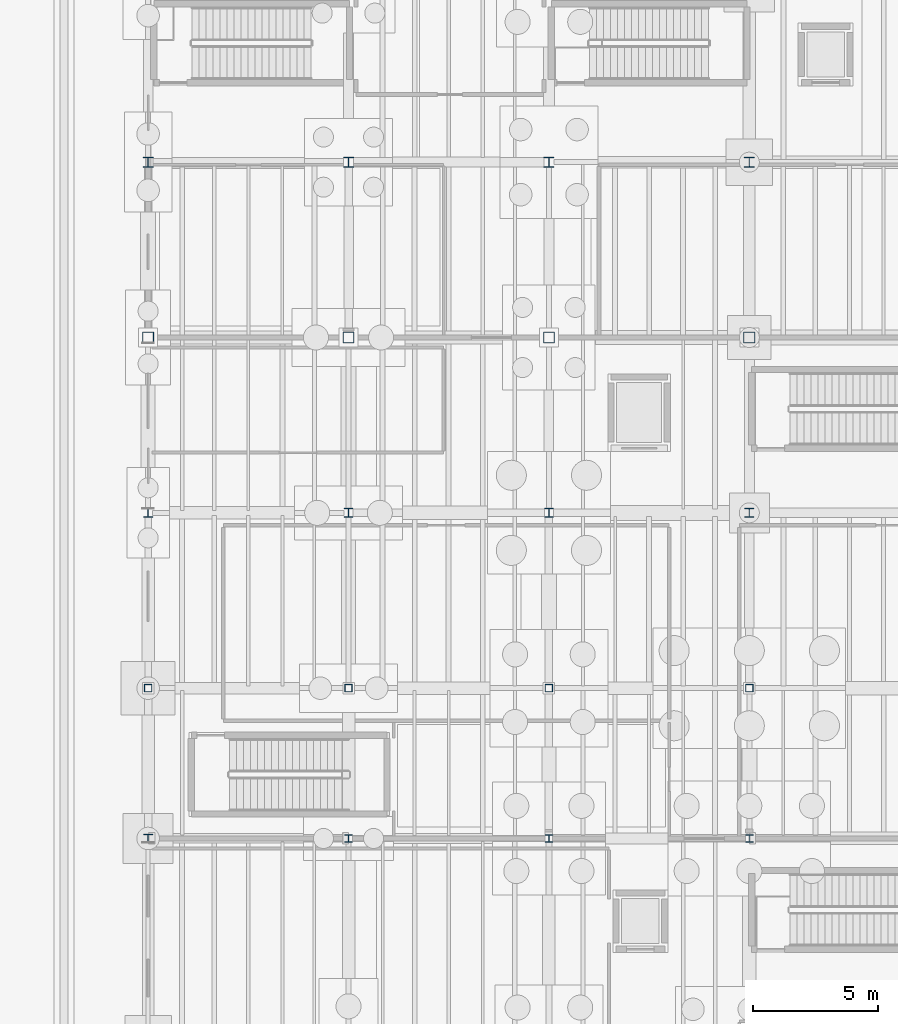
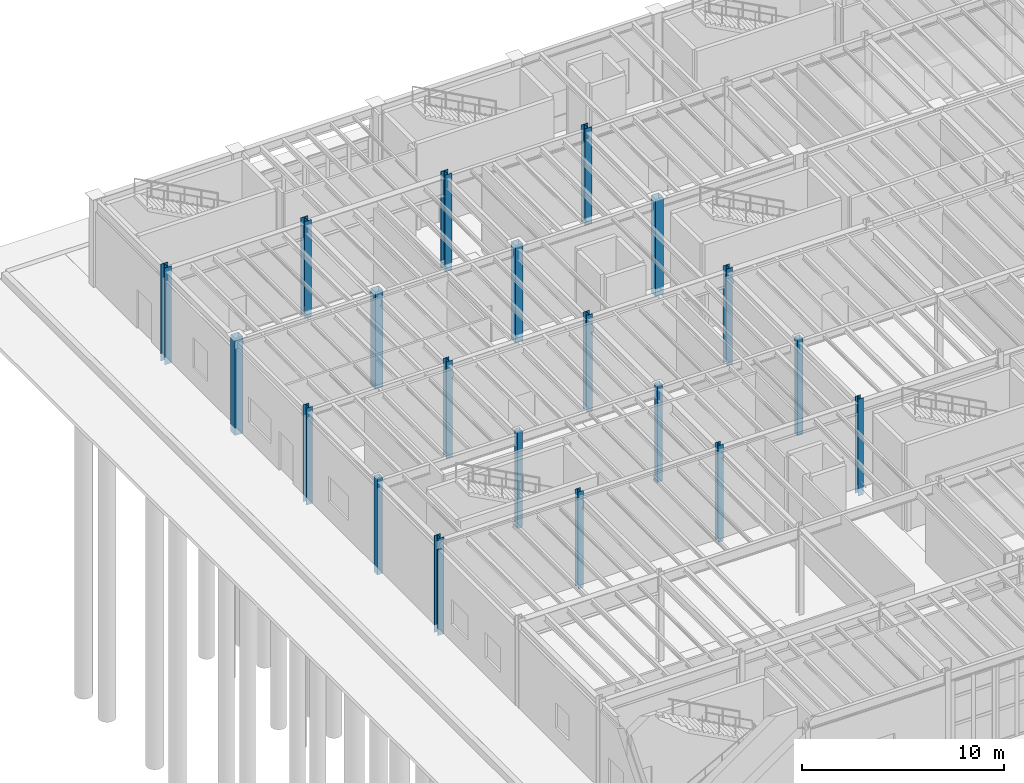
# One storey, part 13 of 86: 20 columns.
"""IFC4 building model written with IfcOpenShell, lengths in metres."""

from ifc_helpers import new_model, si_unit, direction, frame, origin, origin_2d, place, context, subcontext, project, spatial, hollow_rectangle, i_section, extrude, material, material_profile, profile_set, type_object, element, save


model = new_model("IFC4")

# Units and contexts
model_context = context("Model", 3, precision=1e-05, world=origin(), true_north=direction((0.0, 1.0)))
body_context = subcontext(model_context, "Body", "Model", "MODEL_VIEW")
ifc_project = project(units=[si_unit("LENGTHUNIT", "METRE"), si_unit("AREAUNIT", "SQUARE_METRE"), si_unit("VOLUMEUNIT", "CUBIC_METRE"), si_unit("PLANEANGLEUNIT", "RADIAN"), si_unit("MASSUNIT", "GRAM", prefix="KILO"), si_unit("THERMODYNAMICTEMPERATUREUNIT", "KELVIN"), si_unit("POWERUNIT", "WATT")], contexts=[model_context])

# Site, building, storey
site_placement = place(None, origin())
site = spatial("IfcSite", under=ifc_project, at=site_placement, CompositionType="ELEMENT")
building_placement = place(site_placement, origin())
building = spatial("IfcBuilding", under=site, at=building_placement, Name="Zhenchuan Central Fire Station", CompositionType="ELEMENT")
storey_placement = place(building_placement, frame((0.0, 0.0, 0.449951171875)))
storey = spatial("IfcBuildingStorey", under=building, at=storey_placement, Name="L01", CompositionType="ELEMENT", Elevation=0.449951171875)

# Columns
ifc_material = material(Name="Steel Q355B", Category="steel")
ifc_material_profile_1 = material_profile(ifc_material, hollow_rectangle(XDim=0.449951171875, YDim=0.449951171875, WallThickness=0.02197265625, at=origin_2d()), Name="BOX 450x450x22")
ifc_profile_set_1 = profile_set([ifc_material_profile_1], Name="Steel Q355B")
column_type_1 = type_object("IfcColumnType", Name="COL-BOX450", PredefinedType="COLUMN", material=ifc_profile_set_1)
column_1_placement = place(storey_placement, frame((0.0, 42.5, -0.449951171875), z_axis=(0.0, 0.0, 1.0), x_axis=(1.0, 0.0, 0.0)))
element("IfcColumn", 1, at=column_1_placement, inside=storey, type_object=column_type_1, Name="L01 Column 007", PredefinedType="COLUMN", context=body_context, shape_type="SweptSolid", body=[
    extrude(hollow_rectangle(XDim=0.449951171875, YDim=0.449951171875, WallThickness=0.02197265625, at=origin_2d()), origin(), (0.0, 0.0, 1.0), 5.85009765625),
])
ifc_material_profile_2 = material_profile(ifc_material, hollow_rectangle(XDim=0.449951171875, YDim=0.449951171875, WallThickness=0.02197265625, at=origin_2d()), Name="BOX 450x450x22")
ifc_profile_set_2 = profile_set([ifc_material_profile_2], Name="Steel Q355B")
column_type_2 = type_object("IfcColumnType", Name="COL-BOX450-INT", PredefinedType="COLUMN", material=ifc_profile_set_2)
for number, where, z_axis, x_axis, name in (
    (2, (8.0, 42.5, -0.449951171875), (0.0, 0.0, 1.0), (1.0, 0.0, 0.0), "L01 Column 016"),
    (3, (16.0, 42.5, -0.449951171875), (0.0, 0.0, 1.0), (1.0, 0.0, 0.0), "L01 Column 025"),
    (4, (24.0, 42.5, -0.449951171875), (0.0, 0.0, 1.0), (1.0, 0.0, 0.0), "L01 Column 034"),
):
    element("IfcColumn", number, at=place(storey_placement, frame(where, z_axis=z_axis, x_axis=x_axis)), inside=storey, type_object=column_type_2, Name=name, PredefinedType="COLUMN", context=body_context, shape_type="SweptSolid", body=[
        extrude(hollow_rectangle(XDim=0.449951171875, YDim=0.449951171875, WallThickness=0.02197265625, at=origin_2d()), origin(), (0.0, 0.0, 1.0), 5.85009765625),
    ])
ifc_material_profile_3 = material_profile(ifc_material, i_section(OverallWidth=0.300048828125, OverallDepth=0.300048828125, WebThickness=0.010009765625, FlangeThickness=0.014892578125, FilletRadius=0.01806640625, at=origin_2d()), Name="HW 300x300")
ifc_profile_set_3 = profile_set([ifc_material_profile_3], Name="Steel Q355B")
column_type_3 = type_object("IfcColumnType", Name="COL-HW300-INT", PredefinedType="COLUMN", material=ifc_profile_set_3)
for number, where, z_axis, x_axis, name in (
    (5, (8.0, 22.5, -0.449951171875), (0.0, 0.0, 1.0), (1.0, 0.0, 0.0), "L01 Column 013"),
    (6, (16.0, 22.5, -0.449951171875), (0.0, 0.0, 1.0), (1.0, 0.0, 0.0), "L01 Column 022"),
    (7, (24.0, 22.5, -0.449951171875), (0.0, 0.0, 1.0), (1.0, 0.0, 0.0), "L01 Column 031"),
):
    element("IfcColumn", number, at=place(storey_placement, frame(where, z_axis=z_axis, x_axis=x_axis)), inside=storey, type_object=column_type_3, Name=name, PredefinedType="COLUMN", context=body_context, shape_type="SweptSolid", body=[
        extrude(i_section(OverallWidth=0.300048828125, OverallDepth=0.300048828125, WebThickness=0.010009765625, FlangeThickness=0.014892578125, FilletRadius=0.01806640625, at=origin_2d()), origin(), (0.0, 0.0, 1.0), 5.85009765625),
    ])
ifc_material_profile_4 = material_profile(ifc_material, i_section(OverallWidth=0.35009765625, OverallDepth=0.35009765625, WebThickness=0.011962890625, FlangeThickness=0.01904296875, FilletRadius=0.02001953125, at=origin_2d()), Name="HW 350x350")
ifc_profile_set_4 = profile_set([ifc_material_profile_4], Name="Steel Q355B")
column_type_4 = type_object("IfcColumnType", Name="COL-HW350", PredefinedType="COLUMN", material=ifc_profile_set_4)
for number, where, z_axis, x_axis, name in (
    (8, (0.0, 22.5, -0.449951171875), (0.0, 0.0, 1.0), (1.0, 0.0, 0.0), "L01 Column 004"),
    (9, (0.0, 35.5, -0.449951171875), (0.0, 0.0, 1.0), (1.0, 0.0, 0.0), "L01 Column 006"),
):
    element("IfcColumn", number, at=place(storey_placement, frame(where, z_axis=z_axis, x_axis=x_axis)), inside=storey, type_object=column_type_4, Name=name, PredefinedType="COLUMN", context=body_context, shape_type="SweptSolid", body=[
        extrude(i_section(OverallWidth=0.35009765625, OverallDepth=0.35009765625, WebThickness=0.011962890625, FlangeThickness=0.01904296875, FilletRadius=0.02001953125, at=origin_2d()), origin(), (0.0, 0.0, 1.0), 5.85009765625),
    ])
ifc_material_profile_5 = material_profile(ifc_material, i_section(OverallWidth=0.35009765625, OverallDepth=0.35009765625, WebThickness=0.011962890625, FlangeThickness=0.01904296875, FilletRadius=0.02001953125, at=origin_2d()), Name="HW 350x350")
ifc_profile_set_5 = profile_set([ifc_material_profile_5], Name="Steel Q355B")
column_type_5 = type_object("IfcColumnType", Name="COL-HW350-INT", PredefinedType="COLUMN", material=ifc_profile_set_5)
for number, where, z_axis, x_axis, name in (
    (10, (8.0, 35.5, -0.449951171875), (0.0, 0.0, 1.0), (1.0, 0.0, 0.0), "L01 Column 015"),
    (11, (16.0, 35.5, -0.449951171875), (0.0, 0.0, 1.0), (1.0, 0.0, 0.0), "L01 Column 024"),
    (12, (24.0, 35.5, -0.449951171875), (0.0, 0.0, 1.0), (1.0, 0.0, 0.0), "L01 Column 033"),
):
    element("IfcColumn", number, at=place(storey_placement, frame(where, z_axis=z_axis, x_axis=x_axis)), inside=storey, type_object=column_type_5, Name=name, PredefinedType="COLUMN", context=body_context, shape_type="SweptSolid", body=[
        extrude(i_section(OverallWidth=0.35009765625, OverallDepth=0.35009765625, WebThickness=0.011962890625, FlangeThickness=0.01904296875, FilletRadius=0.02001953125, at=origin_2d()), origin(), (0.0, 0.0, 1.0), 5.85009765625),
    ])
ifc_material_profile_6 = material_profile(ifc_material, i_section(OverallWidth=0.39990234375, OverallDepth=0.39990234375, WebThickness=0.012939453125, FlangeThickness=0.02099609375, FilletRadius=0.02197265625, at=origin_2d()), Name="HW 400x400")
ifc_profile_set_6 = profile_set([ifc_material_profile_6], Name="Steel Q355B")
column_type_6 = type_object("IfcColumnType", Name="COL-HW400", PredefinedType="COLUMN", material=ifc_profile_set_6)
column_2_placement = place(storey_placement, frame((0.0, 49.5, -0.449951171875), z_axis=(0.0, 0.0, 1.0), x_axis=(1.0, 0.0, 0.0)))
element("IfcColumn", 13, at=column_2_placement, inside=storey, type_object=column_type_6, Name="L01 Column 008", PredefinedType="COLUMN", context=body_context, shape_type="SweptSolid", body=[
    extrude(i_section(OverallWidth=0.39990234375, OverallDepth=0.39990234375, WebThickness=0.012939453125, FlangeThickness=0.02099609375, FilletRadius=0.02197265625, at=origin_2d()), origin(), (0.0, 0.0, 1.0), 5.85009765625),
])
ifc_material_profile_7 = material_profile(ifc_material, i_section(OverallWidth=0.39990234375, OverallDepth=0.39990234375, WebThickness=0.012939453125, FlangeThickness=0.02099609375, FilletRadius=0.02197265625, at=origin_2d()), Name="HW 400x400")
ifc_profile_set_7 = profile_set([ifc_material_profile_7], Name="Steel Q355B")
column_type_7 = type_object("IfcColumnType", Name="COL-HW400-INT", PredefinedType="COLUMN", material=ifc_profile_set_7)
for number, where, z_axis, x_axis, name in (
    (14, (8.0, 49.5, -0.449951171875), (0.0, 0.0, 1.0), (1.0, 0.0, 0.0), "L01 Column 017"),
    (15, (16.0, 49.5, -0.449951171875), (0.0, 0.0, 1.0), (1.0, 0.0, 0.0), "L01 Column 026"),
    (16, (24.0, 49.5, -0.449951171875), (0.0, 0.0, 1.0), (1.0, 0.0, 0.0), "L01 Column 035"),
):
    element("IfcColumn", number, at=place(storey_placement, frame(where, z_axis=z_axis, x_axis=x_axis)), inside=storey, type_object=column_type_7, Name=name, PredefinedType="COLUMN", context=body_context, shape_type="SweptSolid", body=[
        extrude(i_section(OverallWidth=0.39990234375, OverallDepth=0.39990234375, WebThickness=0.012939453125, FlangeThickness=0.02099609375, FilletRadius=0.02197265625, at=origin_2d()), origin(), (0.0, 0.0, 1.0), 5.85009765625),
    ])
ifc_material_profile_8 = material_profile(ifc_material, hollow_rectangle(XDim=0.300048828125, YDim=0.300048828125, WallThickness=0.013916015625, at=origin_2d()), Name="SHS 300x300x14")
ifc_profile_set_8 = profile_set([ifc_material_profile_8], Name="Steel Q355B")
column_type_8 = type_object("IfcColumnType", Name="COL-SHS300", PredefinedType="COLUMN", material=ifc_profile_set_8)
column_3_placement = place(storey_placement, frame((0.0, 28.5, -0.449951171875), z_axis=(0.0, 0.0, 1.0), x_axis=(1.0, 0.0, 0.0)))
element("IfcColumn", 17, at=column_3_placement, inside=storey, type_object=column_type_8, Name="L01 Column 005", PredefinedType="COLUMN", context=body_context, shape_type="SweptSolid", body=[
    extrude(hollow_rectangle(XDim=0.300048828125, YDim=0.300048828125, WallThickness=0.013916015625, at=origin_2d()), origin(), (0.0, 0.0, 1.0), 5.85009765625),
])
ifc_material_profile_9 = material_profile(ifc_material, hollow_rectangle(XDim=0.300048828125, YDim=0.300048828125, WallThickness=0.013916015625, at=origin_2d()), Name="SHS 300x300x14")
ifc_profile_set_9 = profile_set([ifc_material_profile_9], Name="Steel Q355B")
column_type_9 = type_object("IfcColumnType", Name="COL-SHS300-INT", PredefinedType="COLUMN", material=ifc_profile_set_9)
for number, where, z_axis, x_axis, name in (
    (18, (8.0, 28.5, -0.449951171875), (0.0, 0.0, 1.0), (1.0, 0.0, 0.0), "L01 Column 014"),
    (19, (16.0, 28.5, -0.449951171875), (0.0, 0.0, 1.0), (1.0, 0.0, 0.0), "L01 Column 023"),
    (20, (24.0, 28.5, -0.449951171875), (0.0, 0.0, 1.0), (1.0, 0.0, 0.0), "L01 Column 032"),
):
    element("IfcColumn", number, at=place(storey_placement, frame(where, z_axis=z_axis, x_axis=x_axis)), inside=storey, type_object=column_type_9, Name=name, PredefinedType="COLUMN", context=body_context, shape_type="SweptSolid", body=[
        extrude(hollow_rectangle(XDim=0.300048828125, YDim=0.300048828125, WallThickness=0.013916015625, at=origin_2d()), origin(), (0.0, 0.0, 1.0), 5.85009765625),
    ])

save(model, "model.ifc")
